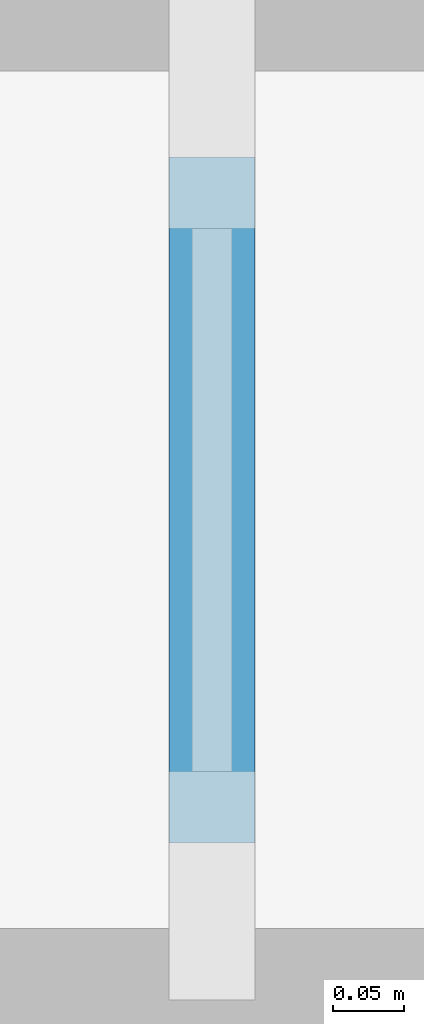
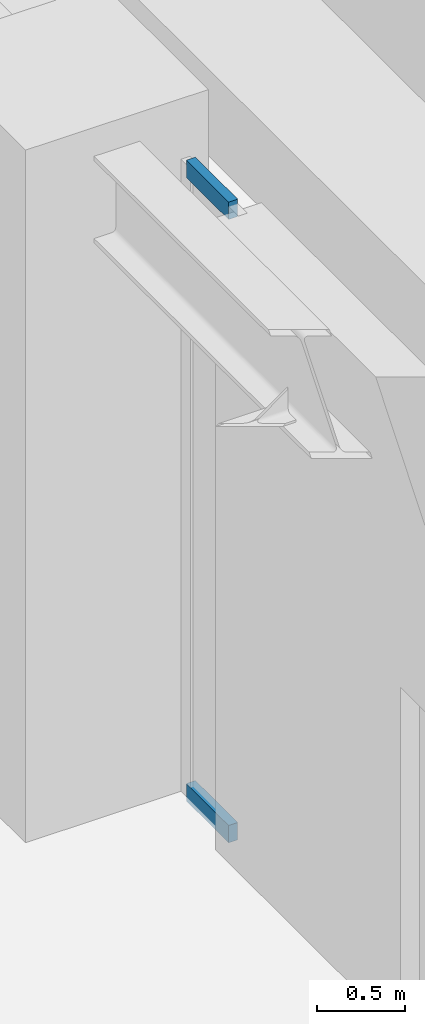
# One storey, part 20 of 53: 2 members, 1 element without a shape of its own.
"""IFC4 building model written with IfcOpenShell, lengths in metres."""

from ifc_helpers import new_model, si_unit, direction, frame, origin, origin_2d, place, context, subcontext, project, spatial, rectangle, extrude, material, material_profile, profile_set, type_object, element, aggregate, save


model = new_model("IFC4")

# Units and contexts
model_context = context("Model", 3, precision=1e-05, world=origin(), true_north=direction((0.0, 1.0)))
body_context = subcontext(model_context, "Body", "Model", "MODEL_VIEW")
ifc_project = project(units=[si_unit("LENGTHUNIT", "METRE"), si_unit("AREAUNIT", "SQUARE_METRE"), si_unit("VOLUMEUNIT", "CUBIC_METRE"), si_unit("PLANEANGLEUNIT", "RADIAN"), si_unit("MASSUNIT", "GRAM", prefix="KILO")], contexts=[model_context])

# Site, building, storey
site_placement = place(None, origin())
site = spatial("IfcSite", under=ifc_project, at=site_placement, CompositionType="ELEMENT")
building_placement = place(site_placement, origin())
building = spatial("IfcBuilding", under=site, at=building_placement, Name="Khepri Terraces", CompositionType="ELEMENT")
storey_placement = place(building_placement, frame((0.0, 0.0, 7.199951171875)))
storey = spatial("IfcBuildingStorey", under=building, at=storey_placement, Name="L01", CompositionType="ELEMENT", Elevation=7.199951171875)

# Curtain wall, members
ifc_material_1 = material(Name="Anodised aluminium bronze curtain wall", Category="aluminium")
curtain_wall_type = type_object("IfcCurtainWallType", Name="CW-SYS2-PODIUM", PredefinedType="NOTDEFINED", material=ifc_material_1)
curtain_wall_placement = place(storey_placement, origin())
curtain_wall = element("IfcCurtainWall", 1, at=curtain_wall_placement, inside=storey, type_object=curtain_wall_type, Name="Curtain wall CW2 L01 E", PredefinedType="NOTDEFINED")
ifc_material_2 = material(Name="Anodised aluminium bronze", Category="aluminium")
ifc_material_profile = material_profile(ifc_material_2, rectangle(XDim=0.06005859375, YDim=0.1201171875, at=origin_2d()), Name="Anodised aluminium bronze", Category="aluminium")
ifc_profile_set = profile_set([ifc_material_profile], Name="Anodised aluminium bronze")
member_type = type_object("IfcMemberType", Name="CW-TRANSOM-60x120", PredefinedType="USERDEFINED", material=ifc_profile_set)
member_1_placement = place(storey_placement, frame((42.449951171875, 15.659912109375, 0.030029296875), z_axis=(0.0, 1.0, 0.0), x_axis=(-1.0, 0.0, 0.0)))
member_1 = element("IfcMember", 2, at=member_1_placement, type_object=member_type, Name="CW2 transom 1.1", ObjectType="TRANSOM", PredefinedType="USERDEFINED", context=body_context, shape_type="SweptSolid", body=[
    extrude(rectangle(XDim=0.06005859375, YDim=0.1201171875, at=origin_2d()), origin(), (0.0, 0.0, 1.0), 0.47998046875),
])
member_2_placement = place(storey_placement, frame((42.449951171875, 15.659912109375, 4.35009765625), z_axis=(0.0, 1.0, 0.0), x_axis=(-1.0, 0.0, 0.0)))
member_2 = element("IfcMember", 3, at=member_2_placement, type_object=member_type, Name="CW2 transom 1.2", ObjectType="TRANSOM", PredefinedType="USERDEFINED", context=body_context, shape_type="SweptSolid", body=[
    extrude(rectangle(XDim=0.06005859375, YDim=0.1201171875, at=origin_2d()), origin(), (0.0, 0.0, 1.0), 0.47998046875),
])
aggregate(curtain_wall, [member_1, member_2])

save(model, "model.ifc")
